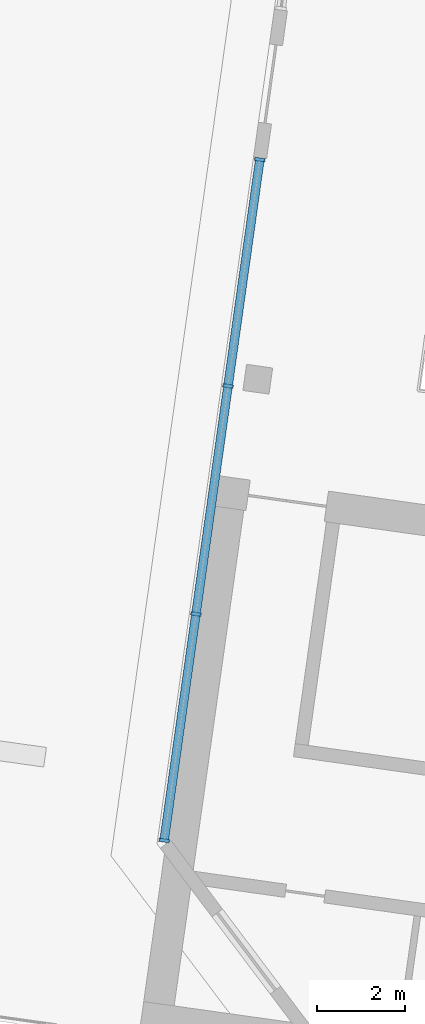
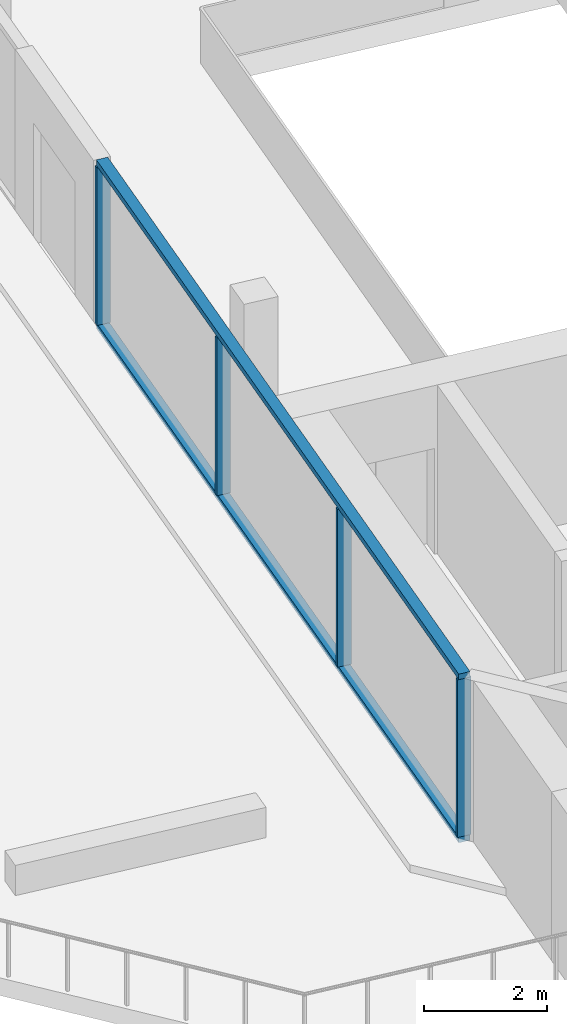
# One storey, part 2 of 23: 6 members, 1 element without a shape of its own.
"""IFC4 building model written with IfcOpenShell, lengths in metres."""

from ifc_helpers import new_model, si_unit, direction, frame, origin, origin_2d, place, context, subcontext, project, spatial, rectangle, extrude, material, material_profile, profile_set, type_object, element, aggregate, save


model = new_model("IFC4")

# Units and contexts
model_context = context("Model", 3, precision=1e-05, world=origin(), true_north=direction((0.0, 1.0)))
body_context = subcontext(model_context, "Body", "Model", "MODEL_VIEW")
ifc_project = project(units=[si_unit("LENGTHUNIT", "METRE"), si_unit("AREAUNIT", "SQUARE_METRE"), si_unit("VOLUMEUNIT", "CUBIC_METRE"), si_unit("PLANEANGLEUNIT", "RADIAN"), si_unit("MASSUNIT", "GRAM", prefix="KILO")], contexts=[model_context])

# Site, building, storey
site_placement = place(None, origin())
site = spatial("IfcSite", under=ifc_project, at=site_placement, CompositionType="ELEMENT")
building_placement = place(site_placement, origin())
building = spatial("IfcBuilding", under=site, at=building_placement, Name="Mirante Cascada Hotel Towers", CompositionType="ELEMENT")
storey_placement = place(building_placement, frame((0.0, 0.0, 180.2)))
storey = spatial("IfcBuildingStorey", under=building, at=storey_placement, Name="L42", CompositionType="ELEMENT", Elevation=180.2)

# Curtain wall, members
ifc_material_1 = material(Name="Aluminium mullion and transom frame with clear laminated glass", Category="aluminium")
curtain_wall_type = type_object("IfcCurtainWallType", Name="Sky garden curtain wall ECW4", PredefinedType="NOTDEFINED", material=ifc_material_1)
curtain_wall_placement = place(storey_placement, origin())
curtain_wall = element("IfcCurtainWall", 1, at=curtain_wall_placement, inside=storey, type_object=curtain_wall_type, Name="Sky garden wall T1 L42 run 1", PredefinedType="NOTDEFINED")
ifc_material_2 = material(Name="Anodised aluminium extrusion", Category="aluminium")
ifc_material_profile_1 = material_profile(ifc_material_2, rectangle(XDim=0.24, YDim=0.075, at=origin_2d()), Name="ECW4 MULLION 75x240")
ifc_profile_set_1 = profile_set([ifc_material_profile_1], Name="Anodised aluminium extrusion")
member_type_1 = type_object("IfcMemberType", Name="ECW4 mullion 75x240", PredefinedType="MULLION", material=ifc_profile_set_1)
member_1_placement = place(storey_placement, frame((-85.3301, -8.7658, 0.11), z_axis=(0.0, 0.0, 1.0), x_axis=(-0.9902681, 0.1391731, 0.0)))
member_1 = element("IfcMember", 2, at=member_1_placement, type_object=member_type_1, Name="ECW4 mullion 1", PredefinedType="MULLION", context=body_context, shape_type="SweptSolid", body=[
    extrude(rectangle(XDim=0.24, YDim=0.075, at=origin_2d()), origin(), (0.0, 0.0, 1.0), 3.13),
])
member_2_placement = place(storey_placement, frame((-84.6052, -3.608, 0.11), z_axis=(0.0, 0.0, 1.0), x_axis=(-0.9902681, 0.1391731, 0.0)))
member_2 = element("IfcMember", 3, at=member_2_placement, type_object=member_type_1, Name="ECW4 mullion 2", PredefinedType="MULLION", context=body_context, shape_type="SweptSolid", body=[
    extrude(rectangle(XDim=0.24, YDim=0.075, at=origin_2d()), origin(), (0.0, 0.0, 1.0), 3.13),
])
member_3_placement = place(storey_placement, frame((-83.8751, 1.5869, 0.11), z_axis=(0.0, 0.0, 1.0), x_axis=(-0.9902681, 0.1391731, 0.0)))
member_3 = element("IfcMember", 4, at=member_3_placement, type_object=member_type_1, Name="ECW4 mullion 3", PredefinedType="MULLION", context=body_context, shape_type="SweptSolid", body=[
    extrude(rectangle(XDim=0.24, YDim=0.075, at=origin_2d()), origin(), (0.0, 0.0, 1.0), 3.13),
])
member_4_placement = place(storey_placement, frame((-83.1502, 6.7447, 0.11), z_axis=(0.0, 0.0, 1.0), x_axis=(-0.9902681, 0.1391731, 0.0)))
member_4 = element("IfcMember", 5, at=member_4_placement, type_object=member_type_1, Name="ECW4 mullion 4", PredefinedType="MULLION", context=body_context, shape_type="SweptSolid", body=[
    extrude(rectangle(XDim=0.24, YDim=0.075, at=origin_2d()), origin(), (0.0, 0.0, 1.0), 3.13),
])
ifc_material_3 = material(Name="Anodised aluminium extrusion", Category="aluminium")
ifc_material_profile_2 = material_profile(ifc_material_3, rectangle(XDim=0.2, YDim=0.11, at=origin_2d()), Name="ECW4 TRANSOM 110x200")
ifc_profile_set_2 = profile_set([ifc_material_profile_2], Name="Anodised aluminium extrusion")
member_type_2 = type_object("IfcMemberType", Name="ECW4 transom 110x200", PredefinedType="USERDEFINED", material=ifc_profile_set_2)
member_5_placement = place(storey_placement, frame((-85.3353, -8.8029, 0.055), z_axis=(0.1391739, 0.990268, 0.0), x_axis=(-0.990268, 0.1391739, 0.0)))
member_5 = element("IfcMember", 6, at=member_5_placement, type_object=member_type_2, Name="ECW4 sill transom", ObjectType="TRANSOM", PredefinedType="USERDEFINED", context=body_context, shape_type="SweptSolid", body=[
    extrude(rectangle(XDim=0.2, YDim=0.11, at=origin_2d()), origin(), (0.0, 0.0, 1.0), 15.7379),
])
member_6_placement = place(storey_placement, frame((-85.3353, -8.8029, 3.295), z_axis=(0.1391739, 0.990268, 0.0), x_axis=(-0.990268, 0.1391739, 0.0)))
member_6 = element("IfcMember", 7, at=member_6_placement, type_object=member_type_2, Name="ECW4 head transom", ObjectType="TRANSOM", PredefinedType="USERDEFINED", context=body_context, shape_type="SweptSolid", body=[
    extrude(rectangle(XDim=0.2, YDim=0.11, at=origin_2d()), origin(), (0.0, 0.0, 1.0), 15.7379),
])
aggregate(curtain_wall, [member_5, member_6, member_1, member_2, member_3, member_4])

save(model, "model.ifc")
